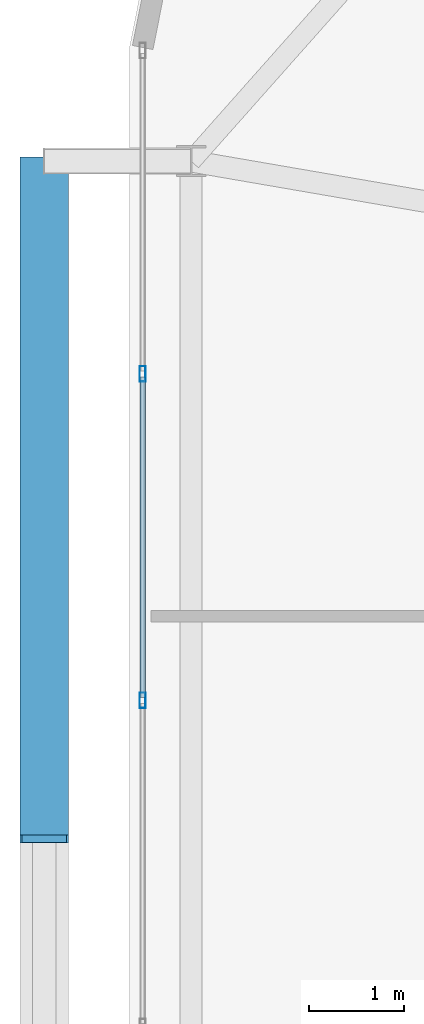
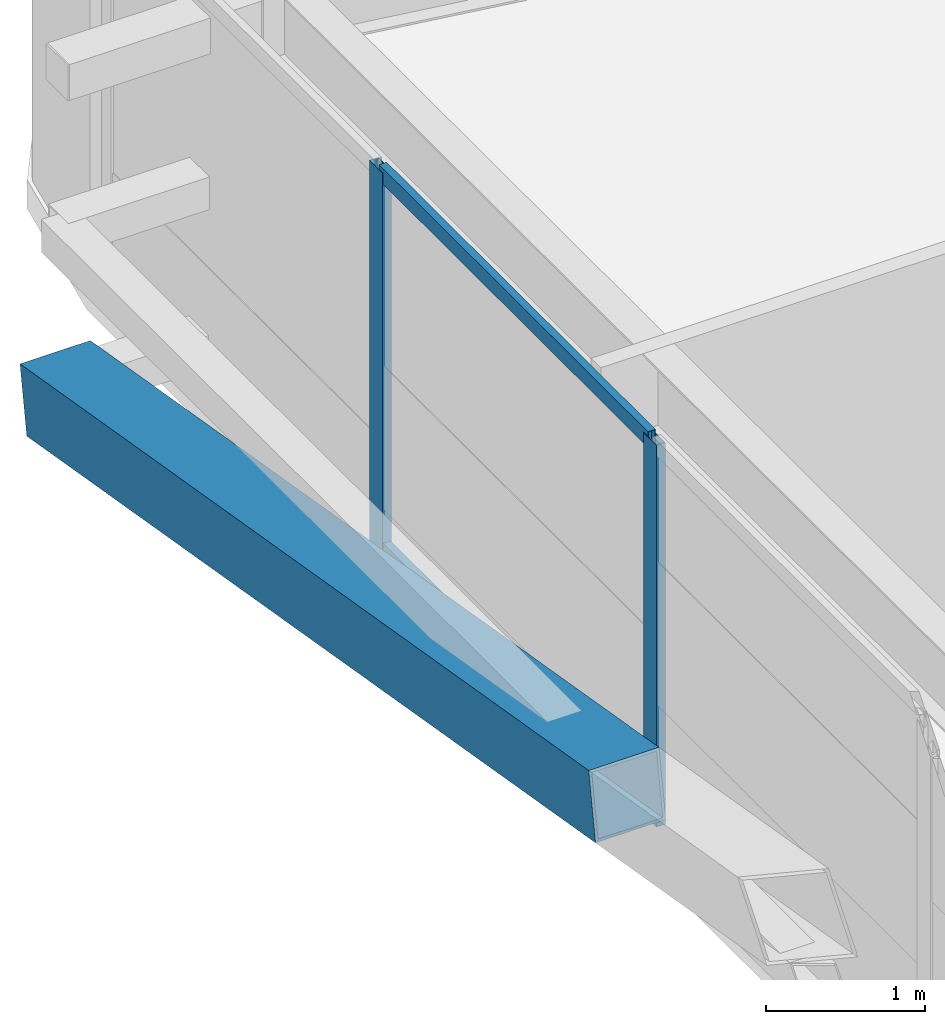
# One storey, part 18 of 59: 5 members, 1 element without a shape of its own.
"""IFC4 building model written with IfcOpenShell, lengths in metres."""

from ifc_helpers import new_model, si_unit, direction, frame, origin, origin_2d, place, context, subcontext, project, spatial, hollow_rectangle, extrude, source, transform, mapped, material, layer, layer_set, material_profile, profile_set, type_object, element, aggregate, save


model = new_model("IFC4")

# Units and contexts
model_context = context("Model", 3, precision=1e-05, world=origin(), true_north=direction((0.0, 1.0)))
body_context = subcontext(model_context, "Body", "Model", "MODEL_VIEW")
ifc_project = project(units=[si_unit("LENGTHUNIT", "METRE"), si_unit("AREAUNIT", "SQUARE_METRE"), si_unit("VOLUMEUNIT", "CUBIC_METRE"), si_unit("PLANEANGLEUNIT", "RADIAN"), si_unit("MASSUNIT", "GRAM", prefix="KILO")], contexts=[model_context])

# Site, building, storey
site_placement = place(None, origin())
site = spatial("IfcSite", under=ifc_project, at=site_placement, CompositionType="ELEMENT")
building_placement = place(site_placement, origin())
building = spatial("IfcBuilding", under=site, at=building_placement, Name="Taldren Reach Tower", CompositionType="ELEMENT")
storey_placement = place(building_placement, frame((0.0, 0.0, 29.39990234375)))
storey = spatial("IfcBuildingStorey", under=building, at=storey_placement, Name="L08", CompositionType="ELEMENT", Elevation=29.39990234375)

# Member
ifc_material_1 = material(Name="Steel Gr 450 (C450L0)", Category="steel")
ifc_material_profile_1 = material_profile(ifc_material_1, hollow_rectangle(XDim=0.510009765625, YDim=0.510009765625, WallThickness=0.02001953125, at=origin_2d()), Name="510x510x20.0SHS")
ifc_profile_set_1 = profile_set([ifc_material_profile_1], Name="Steel Gr 450 (C450L0)")
member_type_1 = type_object("IfcMemberType", Name="MB-EXO508", PredefinedType="BRACE", material=ifc_profile_set_1)
shared_shape_1 = source(origin(), body_context, "Body", "SweptSolid", [
    extrude(hollow_rectangle(XDim=0.510009765625, YDim=0.510009765625, WallThickness=0.02001953125, at=origin_2d()), origin(), (0.0, 0.0, 1.0), 7.252685546875),
])
member_1_placement = place(storey_placement, frame((4.10009765625, 34.300048828125, 0.22021484375), z_axis=(0.0, -0.985871360071, 0.167504213054), x_axis=(1.0, 0.0, 0.0)))
element("IfcMember", 1, at=member_1_placement, inside=storey, type_object=member_type_1, Name="Exoskeleton Diagrid Brace B1-W2 L08", PredefinedType="BRACE", context=body_context, shape_type="MappedRepresentation", body=[
    mapped(shared_shape_1, transform((0.0, 0.0, 0.0), scale=1.0)),
])

# Curtain wall, members
ifc_material_2 = material(Name="Aluminium and Low-E Glass Unitised System", Category="aluminium")
ifc_layer = layer(ifc_material_2, 0.159912109375)
ifc_layer_set = layer_set([ifc_layer], Name="Aluminium and Low-E Glass Unitised System")
curtain_wall_type = type_object("IfcCurtainWallType", Name="CW-SYS-2", PredefinedType="NOTDEFINED", material=ifc_layer_set)
curtain_wall_placement = place(storey_placement, origin())
curtain_wall = element("IfcCurtainWall", 2, at=curtain_wall_placement, inside=storey, type_object=curtain_wall_type, Name="Unitised curtain wall CW-L08-W", PredefinedType="NOTDEFINED")
ifc_material_3 = material(Name="Anodised Aluminium 6063-T6", Category="aluminium")
ifc_material_profile_2 = material_profile(ifc_material_3, hollow_rectangle(XDim=0.054931640625, YDim=0.1201171875, WallThickness=0.0029296875, at=origin_2d()), Name="ALU-120x55x3RHS")
ifc_profile_set_2 = profile_set([ifc_material_profile_2], Name="Anodised Aluminium 6063-T6")
member_type_2 = type_object("IfcMemberType", Name="CW-TRN-135", PredefinedType="USERDEFINED", material=ifc_profile_set_2)
shared_shape_2 = source(origin(), body_context, "Body", "SweptSolid", [
    extrude(hollow_rectangle(XDim=0.054931640625, YDim=0.1201171875, WallThickness=0.0029296875, at=origin_2d()), origin(), (0.0, 0.0, 1.0), 3.37939453125),
])
member_2_placement = place(storey_placement, frame((5.139892578125, 32.02294921875, 0.027587890625), z_axis=(0.0, -1.0, 0.0), x_axis=(1.0, 0.0, 0.0)))
member_2 = element("IfcMember", 3, at=member_2_placement, type_object=member_type_2, Name="CW-2 transom 2.1", ObjectType="TRANSOM", PredefinedType="USERDEFINED", context=body_context, shape_type="MappedRepresentation", body=[
    mapped(shared_shape_2, transform((0.0, 0.0, 0.0), scale=1.0)),
])
member_3_placement = place(storey_placement, frame((5.139892578125, 32.02294921875, 2.902587890625), z_axis=(0.0, -1.0, 0.0), x_axis=(1.0, 0.0, 0.0)))
member_3 = element("IfcMember", 4, at=member_3_placement, type_object=member_type_2, Name="CW-2 transom 2.2", ObjectType="TRANSOM", PredefinedType="USERDEFINED", context=body_context, shape_type="MappedRepresentation", body=[
    mapped(shared_shape_2, transform((0.0, 0.0, 0.0), scale=1.0)),
])
ifc_material_profile_3 = material_profile(ifc_material_3, hollow_rectangle(XDim=0.06494140625, YDim=0.1650390625, WallThickness=0.00390625, at=origin_2d()), Name="ALU-165x65x4RHS")
ifc_profile_set_3 = profile_set([ifc_material_profile_3], Name="Anodised Aluminium 6063-T6")
member_type_3 = type_object("IfcMemberType", Name="CW-MUL-165", PredefinedType="MULLION", material=ifc_profile_set_3)
shared_shape_3 = source(origin(), body_context, "Body", "SweptSolid", [
    extrude(hollow_rectangle(XDim=0.06494140625, YDim=0.1650390625, WallThickness=0.00390625, at=origin_2d()), origin(), (0.0, 0.0, 1.0), 2.93017578125),
])
member_4_placement = place(storey_placement, frame((5.139892578125, 32.0556640625, 0.0), z_axis=(0.0, 0.0, 1.0), x_axis=(1.0, 0.0, 0.0)))
member_4 = element("IfcMember", 5, at=member_4_placement, type_object=member_type_3, Name="CW-2 mullion 2", PredefinedType="MULLION", context=body_context, shape_type="MappedRepresentation", body=[
    mapped(shared_shape_3, transform((0.0, 0.0, 0.0), scale=1.0)),
])
member_5_placement = place(storey_placement, frame((5.139892578125, 28.611083984375, 0.0), z_axis=(0.0, 0.0, 1.0), x_axis=(1.0, 0.0, 0.0)))
member_5 = element("IfcMember", 6, at=member_5_placement, type_object=member_type_3, Name="CW-2 mullion 3", PredefinedType="MULLION", context=body_context, shape_type="MappedRepresentation", body=[
    mapped(shared_shape_3, transform((0.0, 0.0, 0.0), scale=1.0)),
])
aggregate(curtain_wall, [member_4, member_5, member_2, member_3])

save(model, "model.ifc")
